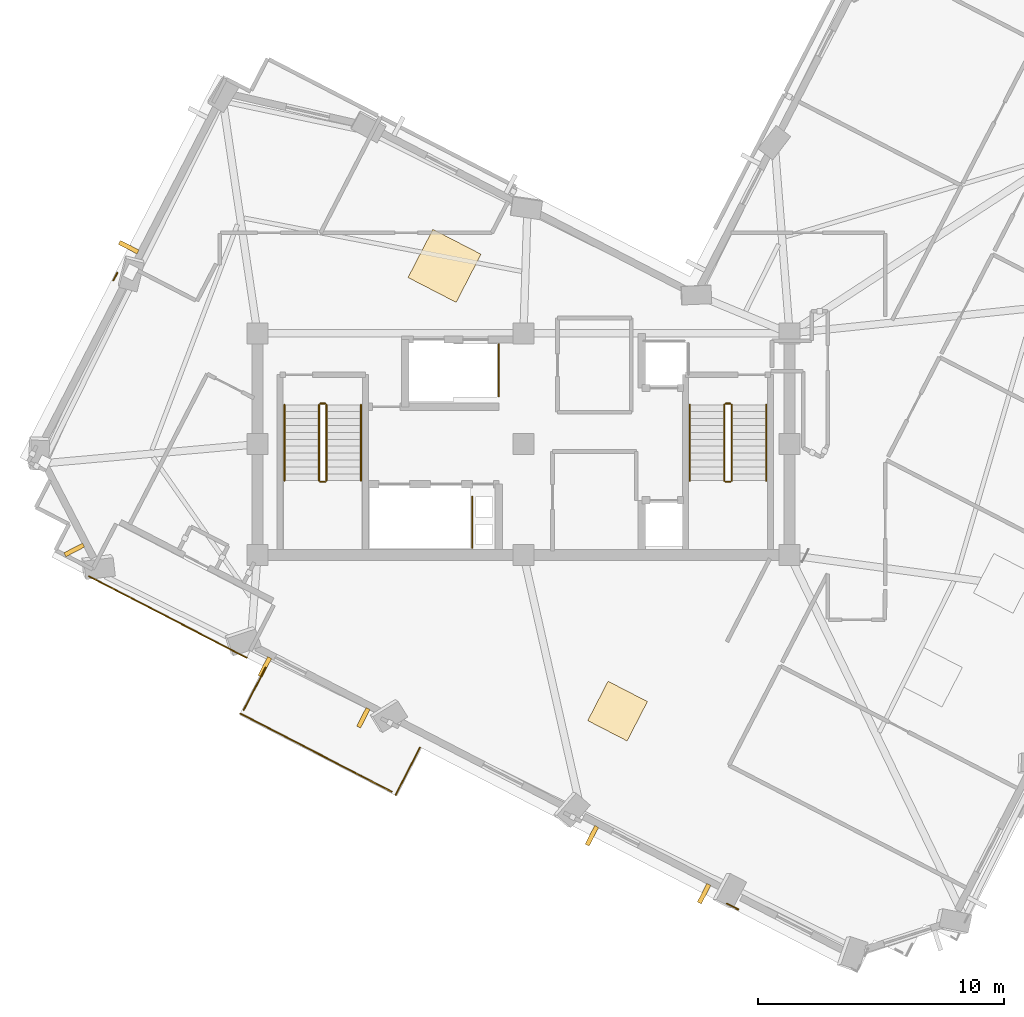
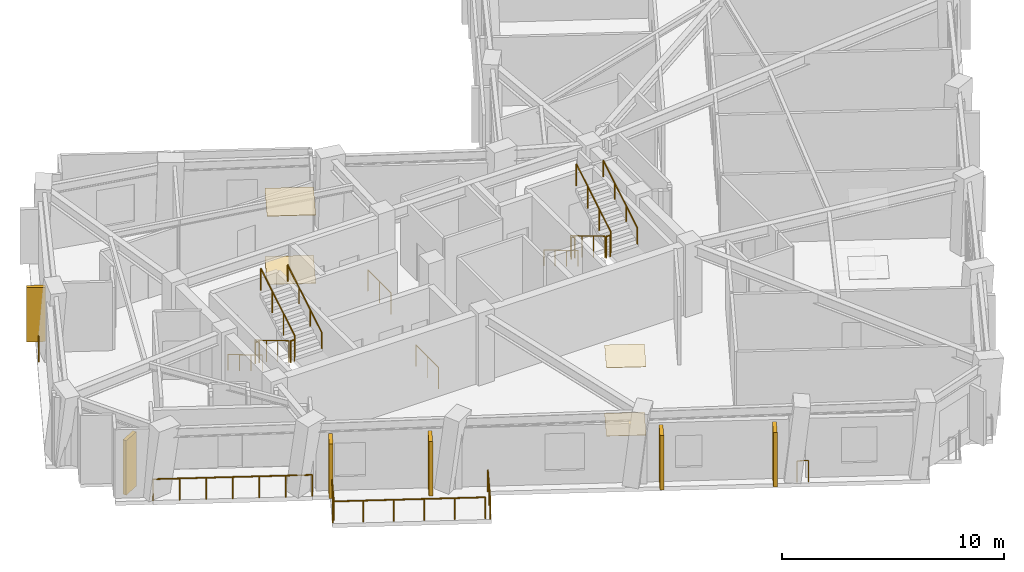
# One storey, part 9 of 11: 20 railings, 6 shading devices, 4 coverings.
"""IFC4 building model written with IfcOpenShell, lengths in metres."""

from ifc_helpers import new_model, si_unit, direction, frame, origin, origin_2d, place, context, subcontext, project, spatial, rectangle, circle, extrude, material, layer, layer_set, type_object, element, save


model = new_model("IFC4")

# Units and contexts
model_context = context("Model", 3, precision=1e-05, world=origin(), true_north=direction((0.0, 1.0)))
body_context = subcontext(model_context, "Body", "Model", "MODEL_VIEW")
ifc_project = project(units=[si_unit("LENGTHUNIT", "METRE"), si_unit("AREAUNIT", "SQUARE_METRE"), si_unit("VOLUMEUNIT", "CUBIC_METRE"), si_unit("PLANEANGLEUNIT", "RADIAN"), si_unit("MASSUNIT", "GRAM", prefix="KILO")], contexts=[model_context])

# Site, building, storey
site_placement = place(None, origin())
site = spatial("IfcSite", under=ifc_project, at=site_placement, CompositionType="ELEMENT")
building_placement = place(site_placement, origin())
building = spatial("IfcBuilding", under=site, at=building_placement, Name="Gaonmaruhae Medical Tower", CompositionType="ELEMENT")
storey_placement = place(building_placement, frame((0.0, 0.0, 292.60009765625)))
storey = spatial("IfcBuildingStorey", under=building, at=storey_placement, Name="L70", CompositionType="ELEMENT", Elevation=292.60009765625)

# Coverings
ifc_material_1 = material(Name="Acoustic mineral ceiling tile", Category="finish")
ifc_layer_1 = layer(ifc_material_1, 0.02490234375)
ifc_layer_set_1 = layer_set([ifc_layer_1], Name="Acoustic mineral ceiling tile")
covering_type_1 = type_object("IfcCoveringType", Name="CLG-01 Antimicrobial Acoustic Mineral Ceiling", PredefinedType="CEILING", material=ifc_layer_set_1)
covering_1_placement = place(storey_placement, frame((21.59375, 19.5390625, 3.7548828125), z_axis=(0.0, 0.0, 1.0), x_axis=(0.458649554484, 0.888617232655, 0.0)))
element("IfcCovering", 1, at=covering_1_placement, inside=storey, type_object=covering_type_1, Name="L70 Clinical Corridor Acoustic Ceiling", PredefinedType="CEILING", context=body_context, shape_type="SweptSolid", body=[
    extrude(rectangle(XDim=2.199951171875, YDim=2.199951171875, at=origin_2d()), origin(), (0.0, 0.0, 1.0), 0.02490234375),
])
covering_2_placement = place(storey_placement, frame((28.618896484375, 1.465576171875, 3.7548828125), z_axis=(0.0, 0.0, 1.0), x_axis=(0.458649554484, 0.888617232655, 0.0)))
element("IfcCovering", 2, at=covering_2_placement, inside=storey, type_object=covering_type_1, Name="L70 Clinical Room Acoustic Ceiling 2", PredefinedType="CEILING", context=body_context, shape_type="SweptSolid", body=[
    extrude(rectangle(XDim=1.800048828125, YDim=1.800048828125, at=origin_2d()), origin(), (0.0, 0.0, 1.0), 0.02490234375),
])
ifc_material_2 = material(Name="Seamless clinical vinyl flooring", Category="finish")
ifc_layer_2 = layer(ifc_material_2, 0.014892578125)
ifc_layer_set_2 = layer_set([ifc_layer_2], Name="Seamless clinical vinyl flooring")
covering_type_2 = type_object("IfcCoveringType", Name="FLR-01 Seamless Clinical Antistatic Vinyl Flooring", PredefinedType="FLOORING", material=ifc_layer_set_2)
covering_3_placement = place(storey_placement, frame((21.59375, 19.5390625, 0.00048828125), z_axis=(0.0, 0.0, 1.0), x_axis=(0.458649554484, 0.888617232655, 0.0)))
element("IfcCovering", 3, at=covering_3_placement, inside=storey, type_object=covering_type_2, Name="L70 Clinical Corridor Vinyl Flooring", PredefinedType="FLOORING", context=body_context, shape_type="SweptSolid", body=[
    extrude(rectangle(XDim=2.199951171875, YDim=2.199951171875, at=origin_2d()), origin(), (0.0, 0.0, 1.0), 0.014892578125),
])
covering_4_placement = place(storey_placement, frame((28.618896484375, 1.465576171875, 0.0), z_axis=(0.0, 0.0, 1.0), x_axis=(0.458649554484, 0.888617232655, 0.0)))
element("IfcCovering", 4, at=covering_4_placement, inside=storey, type_object=covering_type_2, Name="L70 Clinical Room Vinyl Flooring 2", PredefinedType="FLOORING", context=body_context, shape_type="SweptSolid", body=[
    extrude(rectangle(XDim=1.800048828125, YDim=1.800048828125, at=origin_2d()), origin(), (0.0, 0.0, 1.0), 0.014892578125),
])

# Railings
ifc_material_3 = material(Name="Stainless steel 316L and laminated safety glass", Category="steel")
ifc_layer_3 = layer(ifc_material_3, 0.080078125)
ifc_layer_set_3 = layer_set([ifc_layer_3], Name="Stainless steel 316L and laminated safety glass")
railing_type_1 = type_object("IfcRailingType", Name="GD-120 Outdoor Terrace Safety Glass & Steel Balustrade", PredefinedType="BALUSTRADE", material=ifc_layer_set_3)
railing_1_placement = place(storey_placement, frame((7.162109375, 6.93603515625, 0.0)))
element("IfcRailing", 5, at=railing_1_placement, inside=storey, type_object=railing_type_1, Name="L70 Terrace Safety Guard RL-SLB-L70-TER-04", PredefinedType="BALUSTRADE", context=body_context, shape_type="SweptSolid", body=[
    extrude(circle(Radius=0.02392578125, at=origin_2d()), frame((0.0, 0.0, 1.17578125), z_axis=(0.888616198984, -0.45865155718, 0.0), x_axis=(0.45865155718, 0.888616198984, 0.0)), (0.0, 0.0, 1.0), 7.199951171875),
    extrude(circle(Radius=0.02099609375, at=origin_2d()), origin(), (0.0, 0.0, 1.0), 1.15185546875),
    extrude(circle(Radius=0.02099609375, at=origin_2d()), frame((1.06640625, -0.55029296875, 0.0)), (0.0, 0.0, 1.0), 1.15185546875),
    extrude(circle(Radius=0.02099609375, at=origin_2d()), frame((2.132568359375, -1.100830078125, 0.0)), (0.0, 0.0, 1.0), 1.15185546875),
    extrude(circle(Radius=0.02099609375, at=origin_2d()), frame((3.198974609375, -1.651123046875, 0.0)), (0.0, 0.0, 1.0), 1.15185546875),
    extrude(circle(Radius=0.02099609375, at=origin_2d()), frame((4.265380859375, -2.201416015625, 0.0)), (0.0, 0.0, 1.0), 1.15185546875),
    extrude(circle(Radius=0.02099609375, at=origin_2d()), frame((5.33154296875, -2.751953125, 0.0)), (0.0, 0.0, 1.0), 1.15185546875),
    extrude(circle(Radius=0.02099609375, at=origin_2d()), frame((6.39794921875, -3.30224609375, 0.0)), (0.0, 0.0, 1.0), 1.15185546875),
])
railing_2_placement = place(storey_placement, frame((8.154296875, 18.953857421875, 0.0)))
element("IfcRailing", 6, at=railing_2_placement, inside=storey, type_object=railing_type_1, Name="L70 Perimeter Slab Edge Safety Balustrade 01", PredefinedType="BALUSTRADE", context=body_context, shape_type="SweptSolid", body=[
    extrude(circle(Radius=0.02392578125, at=origin_2d()), frame((0.0, 0.0, 1.17578125), z_axis=(0.459285609685, 0.888288651698, 0.0), x_axis=(-0.888288651698, 0.459285609685, 0.0)), (0.0, 0.0, 1.0), 0.338623046875),
    extrude(circle(Radius=0.02099609375, at=origin_2d()), origin(), (0.0, 0.0, 1.0), 1.15185546875),
    extrude(circle(Radius=0.02099609375, at=origin_2d()), frame((0.155517578125, 0.30078125, 0.0)), (0.0, 0.0, 1.0), 1.15185546875),
])
railing_3_placement = place(storey_placement, frame((33.51708984375, -6.587890625, 0.0)))
element("IfcRailing", 7, at=railing_3_placement, inside=storey, type_object=railing_type_1, Name="L70 Perimeter Slab Edge Safety Balustrade 09", PredefinedType="BALUSTRADE", context=body_context, shape_type="SweptSolid", body=[
    extrude(circle(Radius=0.02392578125, at=origin_2d()), frame((0.0, 0.0, 1.17578125), z_axis=(-0.888707280351, 0.458475048232, 0.0), x_axis=(-0.458475048232, -0.888707280351, 0.0)), (0.0, 0.0, 1.0), 0.5185546875),
    extrude(circle(Radius=0.02099609375, at=origin_2d()), origin(), (0.0, 0.0, 1.0), 1.15185546875),
    extrude(circle(Radius=0.02099609375, at=origin_2d()), frame((-0.4609375, 0.23779296875, 0.0)), (0.0, 0.0, 1.0), 1.15185546875),
])
railing_4_placement = place(storey_placement, frame((20.59765625, -0.02099609375, 0.0)))
element("IfcRailing", 8, at=railing_4_placement, inside=storey, type_object=railing_type_1, Name="L70 Perimeter Slab Edge Safety Balustrade 10", PredefinedType="BALUSTRADE", context=body_context, shape_type="SweptSolid", body=[
    extrude(circle(Radius=0.02392578125, at=origin_2d()), frame((0.0, 0.0, 1.17578125), z_axis=(-0.45866019402, -0.8886117411, 0.0), x_axis=(0.8886117411, -0.45866019402, 0.0)), (0.0, 0.0, 1.0), 2.16015625),
    extrude(circle(Radius=0.02099609375, at=origin_2d()), origin(), (0.0, 0.0, 1.0), 1.15185546875),
    extrude(circle(Radius=0.02099609375, at=origin_2d()), frame((-0.495361328125, -0.959716796875, 0.0)), (0.0, 0.0, 1.0), 1.15185546875),
    extrude(circle(Radius=0.02099609375, at=origin_2d()), frame((-0.99072265625, -1.91943359375, 0.0)), (0.0, 0.0, 1.0), 1.15185546875),
])
railing_5_placement = place(storey_placement, frame((19.443115234375, -1.7998046875, 0.0)))
element("IfcRailing", 9, at=railing_5_placement, inside=storey, type_object=railing_type_1, Name="L70 Perimeter Slab Edge Safety Balustrade 11", PredefinedType="BALUSTRADE", context=body_context, shape_type="SweptSolid", body=[
    extrude(circle(Radius=0.02392578125, at=origin_2d()), frame((0.0, 0.0, 1.17578125), z_axis=(-0.888607166379, 0.458669057011, 0.0), x_axis=(-0.458669057011, -0.888607166379, 0.0)), (0.0, 0.0, 1.0), 6.89990234375),
    extrude(circle(Radius=0.02099609375, at=origin_2d()), origin(), (0.0, 0.0, 1.0), 1.15185546875),
    extrude(circle(Radius=0.02099609375, at=origin_2d()), frame((-1.226318359375, 0.633056640625, 0.0)), (0.0, 0.0, 1.0), 1.15185546875),
    extrude(circle(Radius=0.02099609375, at=origin_2d()), frame((-2.45263671875, 1.265869140625, 0.0)), (0.0, 0.0, 1.0), 1.15185546875),
    extrude(circle(Radius=0.02099609375, at=origin_2d()), frame((-3.6787109375, 1.89892578125, 0.0)), (0.0, 0.0, 1.0), 1.15185546875),
    extrude(circle(Radius=0.02099609375, at=origin_2d()), frame((-4.905029296875, 2.53173828125, 0.0)), (0.0, 0.0, 1.0), 1.15185546875),
    extrude(circle(Radius=0.02099609375, at=origin_2d()), frame((-6.13134765625, 3.164794921875, 0.0)), (0.0, 0.0, 1.0), 1.15185546875),
])
railing_6_placement = place(storey_placement, frame((13.442626953125, 1.509521484375, 0.0)))
element("IfcRailing", 10, at=railing_6_placement, inside=storey, type_object=railing_type_1, Name="L70 Perimeter Slab Edge Safety Balustrade 12", PredefinedType="BALUSTRADE", context=body_context, shape_type="SweptSolid", body=[
    extrude(circle(Radius=0.02392578125, at=origin_2d()), frame((0.0, 0.0, 1.17578125), z_axis=(0.458662337828, 0.888610634563, 0.0), x_axis=(-0.888610634563, 0.458662337828, 0.0)), (0.0, 0.0, 1.0), 1.921630859375),
    extrude(circle(Radius=0.02099609375, at=origin_2d()), origin(), (0.0, 0.0, 1.0), 1.15185546875),
    extrude(circle(Radius=0.02099609375, at=origin_2d()), frame((0.440673828125, 0.853759765625, 0.0)), (0.0, 0.0, 1.0), 1.15185546875),
    extrude(circle(Radius=0.02099609375, at=origin_2d()), frame((0.88134765625, 1.70751953125, 0.0)), (0.0, 0.0, 1.0), 1.15185546875),
])
ifc_material_4 = material(Name="Stainless steel 304 handrail", Category="steel")
railing_type_2 = type_object("IfcRailingType", Name="HR-092 Continuous Stainless Steel Stair Handrail", PredefinedType="HANDRAIL", material=ifc_material_4)
railing_7_placement = place(storey_placement, frame((15.10009765625, 13.89990234375, 0.16650390625)))
element("IfcRailing", 11, at=railing_7_placement, inside=storey, type_object=railing_type_2, Name="L70 ST-01 stair handrail 1", PredefinedType="HANDRAIL", context=body_context, shape_type="SweptSolid", body=[
    extrude(circle(Radius=0.02392578125, at=origin_2d()), frame((0.0, 0.0, 0.8759765625), z_axis=(0.0, -0.859260807169, 0.511537745687), x_axis=(1.0, 0.0, 0.0)), (0.0, 0.0, 1.0), 3.584228515625),
    extrude(circle(Radius=0.02099609375, at=origin_2d()), origin(), (0.0, 0.0, 1.0), 0.851806640625),
    extrude(circle(Radius=0.02099609375, at=origin_2d()), frame((0.0, -1.026611328125, 0.611083984375)), (0.0, 0.0, 1.0), 0.851806640625),
    extrude(circle(Radius=0.02099609375, at=origin_2d()), frame((0.0, -2.05322265625, 1.222412109375)), (0.0, 0.0, 1.0), 0.851806640625),
    extrude(circle(Radius=0.02099609375, at=origin_2d()), frame((0.0, -3.079833984375, 1.83349609375)), (0.0, 0.0, 1.0), 0.851806640625),
])
railing_8_placement = place(storey_placement, frame((18.199951171875, 10.820068359375, 2.16650390625)))
element("IfcRailing", 12, at=railing_8_placement, inside=storey, type_object=railing_type_2, Name="L70 ST-01 stair handrail 2", PredefinedType="HANDRAIL", context=body_context, shape_type="SweptSolid", body=[
    extrude(circle(Radius=0.02392578125, at=origin_2d()), frame((0.0, 0.0, 0.8759765625), z_axis=(0.0, 0.859260807169, 0.511537745687), x_axis=(-1.0, 0.0, 0.0)), (0.0, 0.0, 1.0), 3.584228515625),
    extrude(circle(Radius=0.02099609375, at=origin_2d()), origin(), (0.0, 0.0, 1.0), 0.851806640625),
    extrude(circle(Radius=0.02099609375, at=origin_2d()), frame((0.0, 1.026611328125, 0.611083984375)), (0.0, 0.0, 1.0), 0.851806640625),
    extrude(circle(Radius=0.02099609375, at=origin_2d()), frame((0.0, 2.05322265625, 1.222412109375)), (0.0, 0.0, 1.0), 0.851806640625),
    extrude(circle(Radius=0.02099609375, at=origin_2d()), frame((0.0, 3.079833984375, 1.83349609375)), (0.0, 0.0, 1.0), 0.851806640625),
])
railing_9_placement = place(storey_placement, frame((31.550048828125, 13.89990234375, 0.16650390625)))
element("IfcRailing", 13, at=railing_9_placement, inside=storey, type_object=railing_type_2, Name="L70 ST-02 stair handrail 1", PredefinedType="HANDRAIL", context=body_context, shape_type="SweptSolid", body=[
    extrude(circle(Radius=0.02392578125, at=origin_2d()), frame((0.0, 0.0, 0.8759765625), z_axis=(0.0, -0.859260807169, 0.511537745687), x_axis=(1.0, 0.0, 0.0)), (0.0, 0.0, 1.0), 3.584228515625),
    extrude(circle(Radius=0.02099609375, at=origin_2d()), origin(), (0.0, 0.0, 1.0), 0.851806640625),
    extrude(circle(Radius=0.02099609375, at=origin_2d()), frame((0.0, -1.026611328125, 0.611083984375)), (0.0, 0.0, 1.0), 0.851806640625),
    extrude(circle(Radius=0.02099609375, at=origin_2d()), frame((0.0, -2.05322265625, 1.222412109375)), (0.0, 0.0, 1.0), 0.851806640625),
    extrude(circle(Radius=0.02099609375, at=origin_2d()), frame((0.0, -3.079833984375, 1.83349609375)), (0.0, 0.0, 1.0), 0.851806640625),
])
railing_10_placement = place(storey_placement, frame((34.64990234375, 10.820068359375, 2.16650390625)))
element("IfcRailing", 14, at=railing_10_placement, inside=storey, type_object=railing_type_2, Name="L70 ST-02 stair handrail 2", PredefinedType="HANDRAIL", context=body_context, shape_type="SweptSolid", body=[
    extrude(circle(Radius=0.02392578125, at=origin_2d()), frame((0.0, 0.0, 0.8759765625), z_axis=(0.0, 0.859260807169, 0.511537745687), x_axis=(-1.0, 0.0, 0.0)), (0.0, 0.0, 1.0), 3.584228515625),
    extrude(circle(Radius=0.02099609375, at=origin_2d()), origin(), (0.0, 0.0, 1.0), 0.851806640625),
    extrude(circle(Radius=0.02099609375, at=origin_2d()), frame((0.0, 1.026611328125, 0.611083984375)), (0.0, 0.0, 1.0), 0.851806640625),
    extrude(circle(Radius=0.02099609375, at=origin_2d()), frame((0.0, 2.05322265625, 1.222412109375)), (0.0, 0.0, 1.0), 0.851806640625),
    extrude(circle(Radius=0.02099609375, at=origin_2d()), frame((0.0, 3.079833984375, 1.83349609375)), (0.0, 0.0, 1.0), 0.851806640625),
])

# Shading devices
ifc_material_5 = material(Name="Pigmented coral precast concrete C45/55", Category="concrete")
shading_device_type = type_object("IfcShadingDeviceType", Name="SD-FIN1 Tower Vertical Coral Precast Shading Fin", PredefinedType="USERDEFINED", material=ifc_material_5)
for number, where, z_axis, x_axis, name in (
    (15, (8.77490234375, 20.298095703125, 0.13232421875), (0.0, 0.0, 1.0), (0.458649554484, 0.888617232655, 0.0), "L70 Vertical Coral Precast Shading Fin N01"),
    (16, (6.561279296875, 8.00830078125, 0.13232421875), (0.0, 0.0, 1.0), (-0.461469927782, 0.887155852009, 0.0), "L70 Vertical Coral Precast Shading Fin N03"),
    (17, (18.299072265625, 1.193359375, 0.13232421875), (0.0, 0.0, 1.0), (-0.888617232655, 0.458649554484, 0.0), "L70 Vertical Coral Precast Shading Fin W02"),
    (18, (14.2998046875, 3.257568359375, 0.13232421875), (0.0, 0.0, 1.0), (-0.888617232655, 0.458649554484, 0.0), "L70 Vertical Coral Precast Shading Fin W02B"),
    (19, (32.130859375, -5.94580078125, 0.122314453125), (0.0, 0.0, 1.0), (-0.888625237464, 0.458634045118, 0.0), "L70 Vertical Coral Precast Shading Fin W04"),
    (20, (27.576416015625, -3.59521484375, 0.122314453125), (0.0, 0.0, 1.0), (-0.888625237464, 0.458634045118, 0.0), "L70 Vertical Coral Precast Shading Fin W04B"),
):
    element("IfcShadingDevice", number, at=place(storey_placement, frame(where, z_axis=z_axis, x_axis=x_axis)), inside=storey, type_object=shading_device_type, Name=name, ObjectType="FIN", PredefinedType="USERDEFINED", context=body_context, shape_type="SweptSolid", body=[
        extrude(rectangle(XDim=0.179931640625, YDim=0.85009765625, at=origin_2d()), origin(), (0.0, 0.0, 1.0), 3.0),
    ])

# Railings
ifc_material_6 = material(Name="Stainless steel 304 balustrade", Category="steel")
railing_type_3 = type_object("IfcRailingType", Name="SG-112 Stair Well & Ramp Void Safety Balustrade", PredefinedType="BALUSTRADE", material=ifc_material_6)
railing_11_placement = place(storey_placement, frame((16.5, 13.89990234375, 0.16650390625)))
element("IfcRailing", 21, at=railing_11_placement, inside=storey, type_object=railing_type_3, Name="L70 ST-01 stair guard 1", PredefinedType="BALUSTRADE", context=body_context, shape_type="SweptSolid", body=[
    extrude(circle(Radius=0.02392578125, at=origin_2d()), frame((0.0, 0.0, 1.17578125), z_axis=(0.0, -0.859260807169, 0.511537745687), x_axis=(1.0, 0.0, 0.0)), (0.0, 0.0, 1.0), 3.584228515625),
    extrude(circle(Radius=0.02099609375, at=origin_2d()), origin(), (0.0, 0.0, 1.0), 1.15185546875),
    extrude(circle(Radius=0.02099609375, at=origin_2d()), frame((0.0, -1.026611328125, 0.611083984375)), (0.0, 0.0, 1.0), 1.15185546875),
    extrude(circle(Radius=0.02099609375, at=origin_2d()), frame((0.0, -2.05322265625, 1.222412109375)), (0.0, 0.0, 1.0), 1.15185546875),
    extrude(circle(Radius=0.02099609375, at=origin_2d()), frame((0.0, -3.079833984375, 1.83349609375)), (0.0, 0.0, 1.0), 1.15185546875),
])
railing_12_placement = place(storey_placement, frame((16.550048828125, 10.77001953125, 2.0)))
element("IfcRailing", 22, at=railing_12_placement, inside=storey, type_object=railing_type_3, Name="L70 ST-01 stair guard 2", PredefinedType="BALUSTRADE", context=body_context, shape_type="SweptSolid", body=[
    extrude(circle(Radius=0.02392578125, at=origin_2d()), frame((0.0, 0.0, 1.17578125), z_axis=(1.0, 0.0, 0.0), x_axis=(0.0, 1.0, 0.0)), (0.0, 0.0, 1.0), 0.199951171875),
    extrude(circle(Radius=0.02099609375, at=origin_2d()), origin(), (0.0, 0.0, 1.0), 1.15185546875),
    extrude(circle(Radius=0.02099609375, at=origin_2d()), frame((0.199951171875, 0.0, 0.0)), (0.0, 0.0, 1.0), 1.15185546875),
])
railing_13_placement = place(storey_placement, frame((16.800048828125, 10.820068359375, 2.16650390625)))
element("IfcRailing", 23, at=railing_13_placement, inside=storey, type_object=railing_type_3, Name="L70 ST-01 stair guard 3", PredefinedType="BALUSTRADE", context=body_context, shape_type="SweptSolid", body=[
    extrude(circle(Radius=0.02392578125, at=origin_2d()), frame((0.0, 0.0, 1.17578125), z_axis=(0.0, 0.859260807169, 0.511537745687), x_axis=(-1.0, 0.0, 0.0)), (0.0, 0.0, 1.0), 3.584228515625),
    extrude(circle(Radius=0.02099609375, at=origin_2d()), origin(), (0.0, 0.0, 1.0), 1.15185546875),
    extrude(circle(Radius=0.02099609375, at=origin_2d()), frame((0.0, 1.026611328125, 0.611083984375)), (0.0, 0.0, 1.0), 1.15185546875),
    extrude(circle(Radius=0.02099609375, at=origin_2d()), frame((0.0, 2.05322265625, 1.222412109375)), (0.0, 0.0, 1.0), 1.15185546875),
    extrude(circle(Radius=0.02099609375, at=origin_2d()), frame((0.0, 3.079833984375, 1.83349609375)), (0.0, 0.0, 1.0), 1.15185546875),
])
railing_14_placement = place(storey_placement, frame((16.550048828125, 13.949951171875, 0.0)))
element("IfcRailing", 24, at=railing_14_placement, inside=storey, type_object=railing_type_3, Name="L70 ST-01 stair guard 4", PredefinedType="BALUSTRADE", context=body_context, shape_type="SweptSolid", body=[
    extrude(circle(Radius=0.02392578125, at=origin_2d()), frame((0.0, 0.0, 1.17578125), z_axis=(1.0, 0.0, 0.0), x_axis=(0.0, 1.0, 0.0)), (0.0, 0.0, 1.0), 0.199951171875),
    extrude(circle(Radius=0.02099609375, at=origin_2d()), origin(), (0.0, 0.0, 1.0), 1.15185546875),
    extrude(circle(Radius=0.02099609375, at=origin_2d()), frame((0.199951171875, 0.0, 0.0)), (0.0, 0.0, 1.0), 1.15185546875),
])
railing_15_placement = place(storey_placement, frame((32.949951171875, 13.89990234375, 0.16650390625)))
element("IfcRailing", 25, at=railing_15_placement, inside=storey, type_object=railing_type_3, Name="L70 ST-02 stair guard 1", PredefinedType="BALUSTRADE", context=body_context, shape_type="SweptSolid", body=[
    extrude(circle(Radius=0.02392578125, at=origin_2d()), frame((0.0, 0.0, 1.17578125), z_axis=(0.0, -0.859260807169, 0.511537745687), x_axis=(1.0, 0.0, 0.0)), (0.0, 0.0, 1.0), 3.584228515625),
    extrude(circle(Radius=0.02099609375, at=origin_2d()), origin(), (0.0, 0.0, 1.0), 1.15185546875),
    extrude(circle(Radius=0.02099609375, at=origin_2d()), frame((0.0, -1.026611328125, 0.611083984375)), (0.0, 0.0, 1.0), 1.15185546875),
    extrude(circle(Radius=0.02099609375, at=origin_2d()), frame((0.0, -2.05322265625, 1.222412109375)), (0.0, 0.0, 1.0), 1.15185546875),
    extrude(circle(Radius=0.02099609375, at=origin_2d()), frame((0.0, -3.079833984375, 1.83349609375)), (0.0, 0.0, 1.0), 1.15185546875),
])
railing_16_placement = place(storey_placement, frame((33.0, 10.77001953125, 2.0)))
element("IfcRailing", 26, at=railing_16_placement, inside=storey, type_object=railing_type_3, Name="L70 ST-02 stair guard 2", PredefinedType="BALUSTRADE", context=body_context, shape_type="SweptSolid", body=[
    extrude(circle(Radius=0.02392578125, at=origin_2d()), frame((0.0, 0.0, 1.17578125), z_axis=(1.0, 0.0, 0.0), x_axis=(0.0, 1.0, 0.0)), (0.0, 0.0, 1.0), 0.199951171875),
    extrude(circle(Radius=0.02099609375, at=origin_2d()), origin(), (0.0, 0.0, 1.0), 1.15185546875),
    extrude(circle(Radius=0.02099609375, at=origin_2d()), frame((0.199951171875, 0.0, 0.0)), (0.0, 0.0, 1.0), 1.15185546875),
])
railing_17_placement = place(storey_placement, frame((33.25, 10.820068359375, 2.16650390625)))
element("IfcRailing", 27, at=railing_17_placement, inside=storey, type_object=railing_type_3, Name="L70 ST-02 stair guard 3", PredefinedType="BALUSTRADE", context=body_context, shape_type="SweptSolid", body=[
    extrude(circle(Radius=0.02392578125, at=origin_2d()), frame((0.0, 0.0, 1.17578125), z_axis=(0.0, 0.859260807169, 0.511537745687), x_axis=(-1.0, 0.0, 0.0)), (0.0, 0.0, 1.0), 3.584228515625),
    extrude(circle(Radius=0.02099609375, at=origin_2d()), origin(), (0.0, 0.0, 1.0), 1.15185546875),
    extrude(circle(Radius=0.02099609375, at=origin_2d()), frame((0.0, 1.026611328125, 0.611083984375)), (0.0, 0.0, 1.0), 1.15185546875),
    extrude(circle(Radius=0.02099609375, at=origin_2d()), frame((0.0, 2.05322265625, 1.222412109375)), (0.0, 0.0, 1.0), 1.15185546875),
    extrude(circle(Radius=0.02099609375, at=origin_2d()), frame((0.0, 3.079833984375, 1.83349609375)), (0.0, 0.0, 1.0), 1.15185546875),
])
railing_18_placement = place(storey_placement, frame((33.0, 13.949951171875, 0.0)))
element("IfcRailing", 28, at=railing_18_placement, inside=storey, type_object=railing_type_3, Name="L70 ST-02 stair guard 4", PredefinedType="BALUSTRADE", context=body_context, shape_type="SweptSolid", body=[
    extrude(circle(Radius=0.02392578125, at=origin_2d()), frame((0.0, 0.0, 1.17578125), z_axis=(1.0, 0.0, 0.0), x_axis=(0.0, 1.0, 0.0)), (0.0, 0.0, 1.0), 0.199951171875),
    extrude(circle(Radius=0.02099609375, at=origin_2d()), origin(), (0.0, 0.0, 1.0), 1.15185546875),
    extrude(circle(Radius=0.02099609375, at=origin_2d()), frame((0.199951171875, 0.0, 0.0)), (0.0, 0.0, 1.0), 1.15185546875),
])
railing_19_placement = place(storey_placement, frame((22.719970703125, 10.159912109375, 0.0)))
element("IfcRailing", 29, at=railing_19_placement, inside=storey, type_object=railing_type_3, Name="L70 Shaft Edge Safety Guard 15", PredefinedType="BALUSTRADE", context=body_context, shape_type="SweptSolid", body=[
    extrude(circle(Radius=0.02392578125, at=origin_2d()), frame((0.0, 0.0, 1.17578125), z_axis=(0.0, -1.0, 0.0), x_axis=(1.0, 0.0, 0.0)), (0.0, 0.0, 1.0), 2.06494140625),
    extrude(circle(Radius=0.02099609375, at=origin_2d()), origin(), (0.0, 0.0, 1.0), 1.15185546875),
    extrude(circle(Radius=0.02099609375, at=origin_2d()), frame((0.0, -1.032470703125, 0.0)), (0.0, 0.0, 1.0), 1.15185546875),
    extrude(circle(Radius=0.02099609375, at=origin_2d()), frame((0.0, -2.06494140625, 0.0)), (0.0, 0.0, 1.0), 1.15185546875),
])
railing_20_placement = place(storey_placement, frame((23.794921875, 16.35498046875, 0.0)))
element("IfcRailing", 30, at=railing_20_placement, inside=storey, type_object=railing_type_3, Name="L70 Shaft Edge Safety Guard 16", PredefinedType="BALUSTRADE", context=body_context, shape_type="SweptSolid", body=[
    extrude(circle(Radius=0.02392578125, at=origin_2d()), frame((0.0, 0.0, 1.17578125), z_axis=(0.0, -1.0, 0.0), x_axis=(1.0, 0.0, 0.0)), (0.0, 0.0, 1.0), 2.10986328125),
    extrude(circle(Radius=0.02099609375, at=origin_2d()), origin(), (0.0, 0.0, 1.0), 1.15185546875),
    extrude(circle(Radius=0.02099609375, at=origin_2d()), frame((0.0, -1.054931640625, 0.0)), (0.0, 0.0, 1.0), 1.15185546875),
    extrude(circle(Radius=0.02099609375, at=origin_2d()), frame((0.0, -2.10986328125, 0.0)), (0.0, 0.0, 1.0), 1.15185546875),
])

save(model, "model.ifc")
